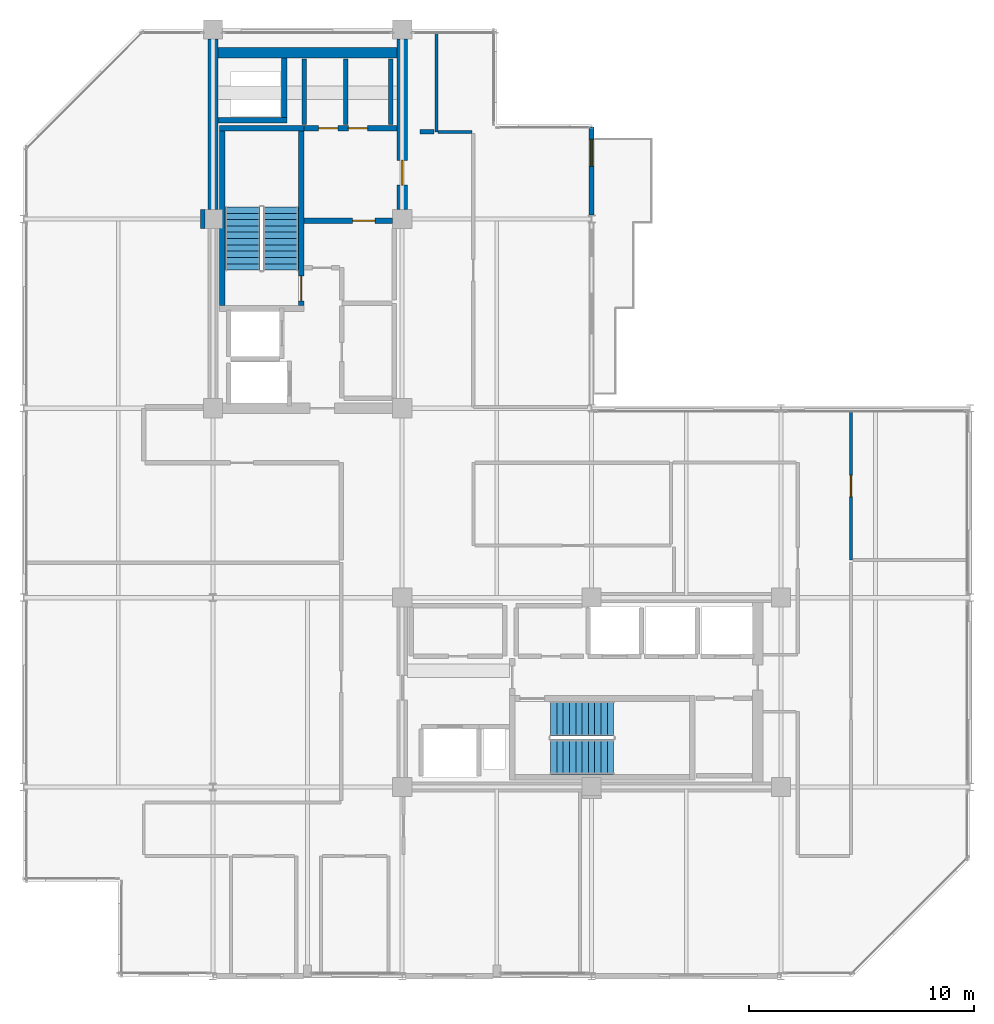
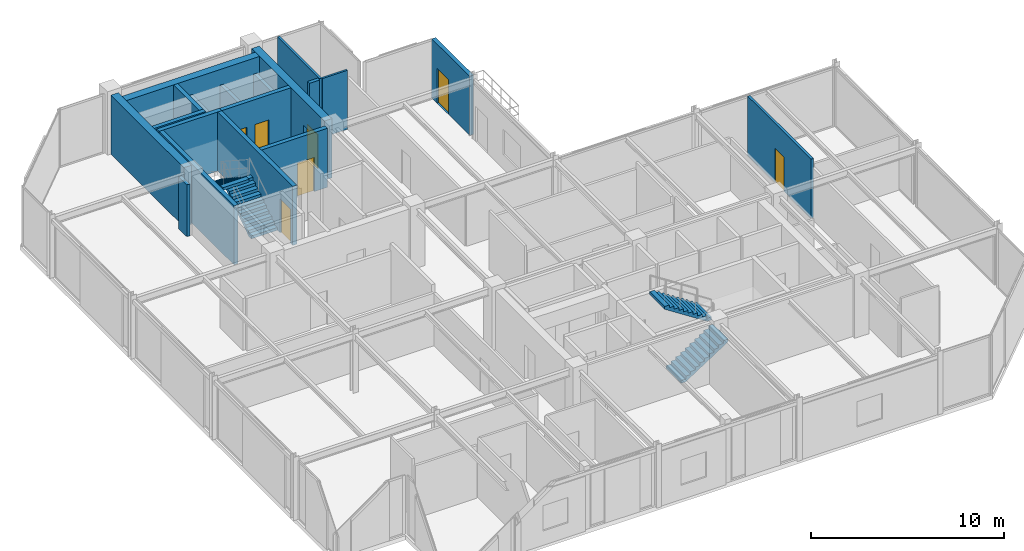
# One storey, part 23 of 26: 19 walls, 7 doors, 4 stair flights, 7 openings, 2 elements without a shape of their own.
"""IFC4 building model written with IfcOpenShell, lengths in metres."""

from ifc_helpers import new_model, si_unit, direction, frame, frame_2d, origin, place, context, subcontext, project, spatial, polyline, rectangle, outline, extrude, material, layer, layer_set, type_object, element, fill, aggregate, save


model = new_model("IFC4")

# Units and contexts
model_context = context("Model", 3, precision=1e-05, world=origin(), true_north=direction((0.0, 1.0)))
body_context = subcontext(model_context, "Body", "Model", "MODEL_VIEW")
ifc_project = project(units=[si_unit("LENGTHUNIT", "METRE"), si_unit("AREAUNIT", "SQUARE_METRE"), si_unit("VOLUMEUNIT", "CUBIC_METRE"), si_unit("PLANEANGLEUNIT", "RADIAN"), si_unit("MASSUNIT", "GRAM", prefix="KILO")], contexts=[model_context])

# Site, building, storey
site_placement = place(None, origin())
site = spatial("IfcSite", under=ifc_project, at=site_placement, CompositionType="ELEMENT")
building_placement = place(site_placement, origin())
building = spatial("IfcBuilding", under=site, at=building_placement, Name="Nerrivon Quay Data Exchange", CompositionType="ELEMENT")
storey_placement = place(building_placement, frame((0.0, 0.0, 258.199951171875)))
storey = spatial("IfcBuildingStorey", under=building, at=storey_placement, Name="L61", CompositionType="ELEMENT", Elevation=258.199951171875)

# Wall, opening, door
ifc_material_1 = material(Name="Architectural terracotta precast concrete N50 (50 MPa)", Category="masonry")
ifc_layer_1 = layer(ifc_material_1, 0.239990234375)
ifc_layer_set_1 = layer_set([ifc_layer_1], Name="Architectural terracotta precast concrete N50 (50 MPa)")
wall_type_1 = type_object("IfcWallType", Name="EW-PREC-240", PredefinedType="STANDARD", material=ifc_layer_set_1)
wall_1_placement = place(storey_placement, frame((25.199951171875, 37.679931640625, 0.0), z_axis=(0.0, 0.0, 1.0), x_axis=(0.0, -1.0, 0.0)))
wall_1 = element("IfcWall", 1, at=wall_1_placement, inside=storey, type_object=wall_type_1, Name="L61 Terrace Host Wall 22", PredefinedType="STANDARD", context=body_context, shape_type="SweptSolid", body=[
    extrude(rectangle(XDim=3.91650390625, YDim=0.239990234375, at=frame_2d((1.958251953125, 0.0))), origin(), (0.0, 0.0, 1.0), 3.72509765625),
])
opening_1_placement = place(wall_1_placement, frame((0.550048828125, 0.0, 0.0)))
opening_1 = element("IfcOpeningElement", 2, at=opening_1_placement, cuts=wall_1, Name="Opening TD1", PredefinedType="OPENING", context=body_context, shape_type="SweptSolid", body=[
    extrude(rectangle(XDim=1.199951171875, YDim=2.199951171875, at=frame_2d((0.60009765625, 1.10009765625))), frame((0.0, 0.1298828125, 0.0), z_axis=(0.0, -1.0, 0.0), x_axis=(1.0, 0.0, 0.0)), (0.0, 0.0, 1.0), 0.260009765625),
])
ifc_material_2 = material(Name="Double-glazed low-E solar control glass", Category="glass")
door_type_1 = type_object("IfcDoorType", Name="DR-TERR-1200x2200", OperationType="NOTDEFINED", PredefinedType="DOOR", material=ifc_material_2)
door_1_placement = place(opening_1_placement, origin())
door_1 = element("IfcDoor", 3, at=door_1_placement, inside=storey, type_object=door_type_1, Name="L61 Outdoor Terrace Access Door 22", OperationType="SINGLE_SWING_LEFT", OverallHeight=2.199951171875, OverallWidth=1.199951171875, PredefinedType="DOOR", context=body_context, shape_type="SweptSolid", body=[
    extrude(rectangle(XDim=1.199951171875, YDim=2.199951171875, at=frame_2d((0.60009765625, 1.10009765625))), frame((0.0, 0.02490234375, 0.0), z_axis=(0.0, -1.0, 0.0), x_axis=(1.0, 0.0, 0.0)), (0.0, 0.0, 1.0), 0.050048828125),
])
fill(opening_1, door_1)

# Walls
ifc_material_3 = material(Name="Concrete N50 (50 MPa)", Category="concrete")
ifc_layer_2 = layer(ifc_material_3, 0.449951171875)
ifc_layer_set_2 = layer_set([ifc_layer_2], Name="Concrete N50 (50 MPa)")
wall_type_2 = type_object("IfcWallType", Name="WALL-CW-550", PredefinedType="SHEAR", material=ifc_layer_set_2)
wall_2_placement = place(storey_placement, frame((8.39990234375, 34.02490234375, 0.0), z_axis=(0.0, 0.0, 1.0), x_axis=(0.0, 1.0, 0.0)))
element("IfcWall", 4, at=wall_2_placement, inside=storey, type_object=wall_type_2, Name="L61 West Split-Core Shear Wall WCW-W2", PredefinedType="SHEAR", context=body_context, shape_type="SweptSolid", body=[
    extrude(rectangle(XDim=7.550048828125, YDim=0.449951171875, at=frame_2d((3.77490234375, 0.0))), origin(), (0.0, 0.0, 1.0), 3.72509765625),
])
wall_3_placement = place(storey_placement, frame((8.625, 40.97509765625, 0.0), z_axis=(0.0, 0.0, 1.0), x_axis=(1.0, 0.0, 0.0)))
element("IfcWall", 5, at=wall_3_placement, inside=storey, type_object=wall_type_2, Name="L61 West Split-Core Shear Wall WCW-N1", PredefinedType="SHEAR", context=body_context, shape_type="SweptSolid", body=[
    extrude(rectangle(XDim=7.949951171875, YDim=0.449951171875, at=frame_2d((3.97509765625, 0.0))), origin(), (0.0, 0.0, 1.0), 3.72509765625),
])

# Wall, opening, door
wall_4_placement = place(storey_placement, frame((16.800048828125, 34.02490234375, 0.0), z_axis=(0.0, 0.0, 1.0), x_axis=(0.0, 1.0, 0.0)))
wall_4 = element("IfcWall", 6, at=wall_4_placement, inside=storey, type_object=wall_type_2, Name="L61 West Split-Core Shear Wall WCW-E1", PredefinedType="SHEAR", context=body_context, shape_type="SweptSolid", body=[
    extrude(rectangle(XDim=7.550048828125, YDim=0.449951171875, at=frame_2d((3.77490234375, 0.0))), origin(), (0.0, 0.0, 1.0), 3.72509765625),
])
opening_2_placement = place(wall_4_placement, frame((1.074951171875, 0.0, 0.0)))
opening_2 = element("IfcOpeningElement", 7, at=opening_2_placement, cuts=wall_4, Name="Opening FD-120", PredefinedType="OPENING", context=body_context, shape_type="SweptSolid", body=[
    extrude(rectangle(XDim=1.10009765625, YDim=2.14990234375, at=frame_2d((0.550048828125, 1.074951171875))), frame((0.0, 0.23486328125, 0.0), z_axis=(0.0, -1.0, 0.0), x_axis=(1.0, 0.0, 0.0)), (0.0, 0.0, 1.0), 0.469970703125),
])
ifc_material_4 = material(Name="Powder-coated galvanized steel sheet", Category="steel")
door_type_2 = type_object("IfcDoorType", Name="DR-FD120-1100", OperationType="NOTDEFINED", PredefinedType="DOOR", material=ifc_material_4)
door_2_placement = place(opening_2_placement, origin())
door_2 = element("IfcDoor", 8, at=door_2_placement, inside=storey, type_object=door_type_2, Name="L61 West Core Lobby Fire Door", OperationType="SINGLE_SWING_RIGHT", OverallHeight=2.14990234375, OverallWidth=1.10009765625, PredefinedType="DOOR", context=body_context, shape_type="SweptSolid", body=[
    extrude(rectangle(XDim=1.10009765625, YDim=2.14990234375, at=frame_2d((0.550048828125, 1.074951171875))), frame((0.0, 0.02490234375, 0.0), z_axis=(0.0, -1.0, 0.0), x_axis=(1.0, 0.0, 0.0)), (0.0, 0.0, 1.0), 0.050048828125),
])
fill(opening_2, door_2)

# Walls
ifc_material_5 = material(Name="Gypsum plasterboard on cold-formed framing", Category="gypsum")
ifc_layer_3 = layer(ifc_material_5, 0.199951171875)
ifc_layer_set_3 = layer_set([ifc_layer_3], Name="Gypsum plasterboard on cold-formed framing")
wall_type_3 = type_object("IfcWallType", Name="WALL-FW-200", PredefinedType="PARTITIONING", material=ifc_layer_set_3)
for number, where, z_axis, x_axis, name in (
    (9, (14.300048828125, 37.780029296875, 0.0), (0.0, 0.0, 1.0), (0.0, 1.0, 0.0), "L61 Partition Cleaners Store"),
    (10, (12.449951171875, 40.699951171875, 0.0), (0.0, 0.0, 1.0), (0.0, -1.0, 0.0), "L61 Partition Cleaners Store"),
    (11, (16.300048828125, 37.780029296875, 0.0), (0.0, 0.0, 1.0), (0.0, 1.0, 0.0), "L61 Partition Janitor Closet"),
):
    element("IfcWall", number, at=place(storey_placement, frame(where, z_axis=z_axis, x_axis=x_axis)), inside=storey, type_object=wall_type_3, Name=name, PredefinedType="PARTITIONING", context=body_context, shape_type="SweptSolid", body=[
        extrude(rectangle(XDim=2.919921875, YDim=0.199951171875, at=frame_2d((1.4599609375, 0.0))), origin(), (0.0, 0.0, 1.0), 2.775146484375),
    ])
wall_5_placement = place(storey_placement, frame((17.60009765625, 37.4599609375, 0.0), z_axis=(0.0, 0.0, 1.0), x_axis=(1.0, 0.0, 0.0)))
element("IfcWall", 12, at=wall_5_placement, inside=storey, type_object=wall_type_3, Name="L61 Partition Colocation Data Workspace 1", PredefinedType="PARTITIONING", context=body_context, shape_type="SweptSolid", body=[
    extrude(rectangle(XDim=0.607177734375, YDim=0.199951171875, at=frame_2d((0.3037109375, 0.0))), origin(), (0.0, 0.0, 1.0), 3.72509765625),
])
wall_6_placement = place(storey_placement, frame((7.955810546875, 33.169189453125, 0.0), z_axis=(0.0, 0.0, 1.0), x_axis=(-0.000855919801, 0.999999633701, 0.0)))
element("IfcWall", 13, at=wall_6_placement, inside=storey, type_object=wall_type_3, Name="L61 Partition Colocation Data Workspace 1", PredefinedType="PARTITIONING", context=body_context, shape_type="SweptSolid", body=[
    extrude(rectangle(XDim=0.855712890625, YDim=0.199951171875, at=frame_2d((0.427734375, 0.0))), origin(), (0.0, 0.0, 1.0), 3.27099609375),
])
ifc_layer_4 = layer(ifc_material_5, 0.1201171875)
ifc_layer_set_4 = layer_set([ifc_layer_4], Name="Gypsum plasterboard on cold-formed framing")
wall_type_4 = type_object("IfcWallType", Name="WALL-PT-120", PredefinedType="PARTITIONING", material=ifc_layer_set_4)
wall_7_placement = place(storey_placement, frame((18.398681640625, 37.4599609375, 0.0), z_axis=(0.0, 0.0, 1.0), x_axis=(1.0, 0.0, 0.0)))
element("IfcWall", 14, at=wall_7_placement, inside=storey, type_object=wall_type_4, Name="L61 Partition Engineers Lounge", PredefinedType="PARTITIONING", context=body_context, shape_type="SweptSolid", body=[
    extrude(rectangle(XDim=1.501220703125, YDim=0.1201171875, at=frame_2d((0.75048828125, 0.0))), origin(), (0.0, 0.0, 1.0), 3.72509765625),
])
ifc_layer_5 = layer(ifc_material_5, 0.135009765625)
ifc_layer_set_5 = layer_set([ifc_layer_5], Name="Gypsum plasterboard on cold-formed framing")
wall_type_5 = type_object("IfcWallType", Name="WALL-PT-135", PredefinedType="PARTITIONING", material=ifc_layer_set_5)
wall_8_placement = place(storey_placement, frame((18.327392578125, 41.8310546875, 0.0), z_axis=(0.0, 0.0, 1.0), x_axis=(0.0, -1.0, 0.0)))
element("IfcWall", 15, at=wall_8_placement, inside=storey, type_object=wall_type_5, Name="L61 Partition Engineers Lounge", PredefinedType="PARTITIONING", context=body_context, shape_type="SweptSolid", body=[
    extrude(rectangle(XDim=4.37109375, YDim=0.135009765625, at=frame_2d((2.185546875, 0.0))), origin(), (0.0, 0.0, 1.0), 3.72509765625),
])

# Wall, opening, door
ifc_layer_6 = layer(ifc_material_5, 0.14990234375)
ifc_layer_set_6 = layer_set([ifc_layer_6], Name="Gypsum plasterboard on cold-formed framing")
wall_type_6 = type_object("IfcWallType", Name="WALL-PT-150", PredefinedType="PARTITIONING", material=ifc_layer_set_6)
wall_9_placement = place(storey_placement, frame((36.7099609375, 25.031005859375, 0.0), z_axis=(0.0, 0.0, 1.0), x_axis=(0.0, -1.0, 0.0)))
wall_9 = element("IfcWall", 16, at=wall_9_placement, inside=storey, type_object=wall_type_6, Name="L61 Partition Engineers Lounge", PredefinedType="PARTITIONING", context=body_context, shape_type="SweptSolid", body=[
    extrude(rectangle(XDim=6.55615234375, YDim=0.14990234375, at=frame_2d((3.278076171875, 0.0))), origin(), (0.0, 0.0, 1.0), 3.72509765625),
])
opening_3_placement = place(wall_9_placement, frame((2.802978515625, 0.0, 0.0)))
opening_3 = element("IfcOpeningElement", 17, at=opening_3_placement, cuts=wall_9, Name="Opening D-01", PredefinedType="OPENING", context=body_context, shape_type="SweptSolid", body=[
    extrude(rectangle(XDim=0.949951171875, YDim=2.14990234375, at=frame_2d((0.47509765625, 1.074951171875))), frame((0.0, 0.0849609375, 0.0), z_axis=(0.0, -1.0, 0.0), x_axis=(1.0, 0.0, 0.0)), (0.0, 0.0, 1.0), 0.169921875),
])
ifc_material_6 = material(Name="Engineered hardwood timber", Category="wood")
door_type_3 = type_object("IfcDoorType", Name="DR-INT-950", OperationType="NOTDEFINED", PredefinedType="DOOR", material=ifc_material_6)
door_3_placement = place(opening_3_placement, origin())
door_3 = element("IfcDoor", 18, at=door_3_placement, inside=storey, type_object=door_type_3, Name="L61 Door Engineers Lounge", OperationType="SINGLE_SWING_RIGHT", OverallHeight=2.14990234375, OverallWidth=0.949951171875, PredefinedType="DOOR", context=body_context, shape_type="SweptSolid", body=[
    extrude(rectangle(XDim=0.949951171875, YDim=2.14990234375, at=frame_2d((0.47509765625, 1.074951171875))), frame((0.0, 0.02490234375, 0.0), z_axis=(0.0, -1.0, 0.0), x_axis=(1.0, 0.0, 0.0)), (0.0, 0.0, 1.0), 0.050048828125),
])
fill(opening_3, door_3)

# Wall
ifc_layer_7 = layer(ifc_material_3, 0.25)
ifc_layer_set_7 = layer_set([ifc_layer_7], Name="Concrete N50 (50 MPa)")
wall_type_7 = type_object("IfcWallType", Name="WALL-SW-250", PredefinedType="SHEAR", material=ifc_layer_set_7)
wall_10_placement = place(storey_placement, frame((12.449951171875, 37.625, 0.0), z_axis=(0.0, 0.0, 1.0), x_axis=(-1.0, 0.0, 0.0)))
element("IfcWall", 19, at=wall_10_placement, inside=storey, type_object=wall_type_7, Name="L61 ST01 Structural Stair Core Wall FAR", PredefinedType="SHEAR", context=body_context, shape_type="SweptSolid", body=[
    extrude(rectangle(XDim=3.75, YDim=0.25, at=frame_2d((1.875, 0.0))), origin(), (0.0, 0.0, 1.0), 3.72509765625),
])

# Wall, opening, door
wall_11_placement = place(storey_placement, frame((12.324951171875, 29.75, 0.0), z_axis=(0.0, 0.0, 1.0), x_axis=(0.0, 1.0, 0.0)))
wall_11 = element("IfcWall", 20, at=wall_11_placement, inside=storey, type_object=wall_type_7, Name="L61 ST01 Structural Stair Core Wall LEFT", PredefinedType="SHEAR", context=body_context, shape_type="SweptSolid", body=[
    extrude(rectangle(XDim=7.75, YDim=0.25, at=frame_2d((3.875, 0.0))), origin(), (0.0, 0.0, 1.0), 3.72509765625),
])
opening_4_placement = place(wall_11_placement, frame((0.219970703125, 0.0, 0.0)))
opening_4 = element("IfcOpeningElement", 21, at=opening_4_placement, cuts=wall_11, Name="Opening FD-120", PredefinedType="OPENING", context=body_context, shape_type="SweptSolid", body=[
    extrude(rectangle(XDim=1.10009765625, YDim=2.14990234375, at=frame_2d((0.550048828125, 1.074951171875))), frame((0.0, 0.135009765625, 0.0), z_axis=(0.0, -1.0, 0.0), x_axis=(1.0, 0.0, 0.0)), (0.0, 0.0, 1.0), 0.27001953125),
])
door_4_placement = place(opening_4_placement, origin())
door_4 = element("IfcDoor", 22, at=door_4_placement, inside=storey, type_object=door_type_2, Name="L61 Protected Stair Door ST01", OperationType="SINGLE_SWING_RIGHT", OverallHeight=2.14990234375, OverallWidth=1.10009765625, PredefinedType="DOOR", context=body_context, shape_type="SweptSolid", body=[
    extrude(rectangle(XDim=1.10009765625, YDim=2.14990234375, at=frame_2d((0.550048828125, 1.074951171875))), frame((0.0, 0.02490234375, 0.0), z_axis=(0.0, -1.0, 0.0), x_axis=(1.0, 0.0, 0.0)), (0.0, 0.0, 1.0), 0.050048828125),
])
fill(opening_4, door_4)

# Walls
wall_12_placement = place(storey_placement, frame((8.824951171875, 29.75, 0.0), z_axis=(0.0, 0.0, 1.0), x_axis=(0.0, 1.0, 0.0)))
element("IfcWall", 23, at=wall_12_placement, inside=storey, type_object=wall_type_7, Name="L61 ST01 Structural Stair Core Wall RIGHT", PredefinedType="SHEAR", context=body_context, shape_type="SweptSolid", body=[
    extrude(rectangle(XDim=7.75, YDim=0.25, at=frame_2d((3.875, 0.0))), origin(), (0.0, 0.0, 1.0), 3.72509765625),
])
wall_13_placement = place(storey_placement, frame((8.625, 37.97509765625, 0.0), z_axis=(0.0, 0.0, 1.0), x_axis=(1.0, 0.0, 0.0)))
element("IfcWall", 24, at=wall_13_placement, inside=storey, type_object=wall_type_7, Name="L61 West Core MEP Riser Shaft Wall S", PredefinedType="SHEAR", context=body_context, shape_type="SweptSolid", body=[
    extrude(rectangle(XDim=3.074951171875, YDim=0.25, at=frame_2d((1.53759765625, 0.0))), origin(), (0.0, 0.0, 1.0), 3.72509765625),
])
wall_14_placement = place(storey_placement, frame((11.574951171875, 38.10009765625, 0.0), z_axis=(0.0, 0.0, 1.0), x_axis=(0.0, 1.0, 0.0)))
element("IfcWall", 25, at=wall_14_placement, inside=storey, type_object=wall_type_7, Name="L61 West Core MEP Riser Shaft Wall E", PredefinedType="SHEAR", context=body_context, shape_type="SweptSolid", body=[
    extrude(rectangle(XDim=2.64990234375, YDim=0.25, at=frame_2d((1.324951171875, 0.0))), origin(), (0.0, 0.0, 1.0), 3.72509765625),
])

# Wall, opening, door
wall_15_placement = place(storey_placement, frame((12.449951171875, 33.52001953125, 0.0), z_axis=(0.0, 0.0, 1.0), x_axis=(1.0, 0.0, 0.0)))
wall_15 = element("IfcWall", 26, at=wall_15_placement, inside=storey, type_object=wall_type_7, Name="L61 West Lobby Smoke-Stop Wall", PredefinedType="SHEAR", context=body_context, shape_type="SweptSolid", body=[
    extrude(rectangle(XDim=3.925048828125, YDim=0.25, at=frame_2d((1.96240234375, 0.0))), origin(), (0.0, 0.0, 1.0), 3.72509765625),
])
opening_5_placement = place(wall_15_placement, frame((2.14990234375, 0.0, 0.0)))
opening_5 = element("IfcOpeningElement", 27, at=opening_5_placement, cuts=wall_15, Name="Opening FD-60", PredefinedType="OPENING", context=body_context, shape_type="SweptSolid", body=[
    extrude(rectangle(XDim=1.0, YDim=2.14990234375, at=frame_2d((0.5, 1.074951171875))), frame((0.0, 0.135009765625, 0.0), z_axis=(0.0, -1.0, 0.0), x_axis=(1.0, 0.0, 0.0)), (0.0, 0.0, 1.0), 0.27001953125),
])
door_type_4 = type_object("IfcDoorType", Name="DR-FD60-1000", OperationType="NOTDEFINED", PredefinedType="DOOR", material=ifc_material_6)
door_5_placement = place(opening_5_placement, origin())
door_5 = element("IfcDoor", 28, at=door_5_placement, inside=storey, type_object=door_type_4, Name="L61 West Firefighting Lobby Fire Door", OperationType="SINGLE_SWING_RIGHT", OverallHeight=2.14990234375, OverallWidth=1.0, PredefinedType="DOOR", context=body_context, shape_type="SweptSolid", body=[
    extrude(rectangle(XDim=1.0, YDim=2.14990234375, at=frame_2d((0.5, 1.074951171875))), frame((0.0, 0.02490234375, 0.0), z_axis=(0.0, -1.0, 0.0), x_axis=(1.0, 0.0, 0.0)), (0.0, 0.0, 1.0), 0.050048828125),
])
fill(opening_5, door_5)

# Wall, openings, doors
wall_16_placement = place(storey_placement, frame((12.449951171875, 37.625, 0.0), z_axis=(0.0, 0.0, 1.0), x_axis=(1.0, 0.0, 0.0)))
wall_16 = element("IfcWall", 29, at=wall_16_placement, inside=storey, type_object=wall_type_7, Name="L61 West Firefighting Lobby Wall", PredefinedType="SHEAR", context=body_context, shape_type="SweptSolid", body=[
    extrude(rectangle(XDim=4.125, YDim=0.25, at=frame_2d((2.0625, 0.0))), origin(), (0.0, 0.0, 1.0), 3.72509765625),
])
opening_6_placement = place(wall_16_placement, frame((0.6474609375, 0.0, 0.0)))
opening_6 = element("IfcOpeningElement", 30, at=opening_6_placement, cuts=wall_16, Name="Opening FD-60S", PredefinedType="OPENING", context=body_context, shape_type="SweptSolid", body=[
    extrude(rectangle(XDim=0.85009765625, YDim=2.14990234375, at=frame_2d((0.425048828125, 1.074951171875))), frame((0.0, 0.135009765625, 0.0), z_axis=(0.0, -1.0, 0.0), x_axis=(1.0, 0.0, 0.0)), (0.0, 0.0, 1.0), 0.27001953125),
])
opening_7_placement = place(wall_16_placement, frame((1.967529296875, 0.0, 0.0)))
opening_7 = element("IfcOpeningElement", 31, at=opening_7_placement, cuts=wall_16, Name="Opening FD-60S", PredefinedType="OPENING", context=body_context, shape_type="SweptSolid", body=[
    extrude(rectangle(XDim=0.85009765625, YDim=2.14990234375, at=frame_2d((0.425048828125, 1.074951171875))), frame((0.0, 0.135009765625, 0.0), z_axis=(0.0, -1.0, 0.0), x_axis=(1.0, 0.0, 0.0)), (0.0, 0.0, 1.0), 0.27001953125),
])
door_type_5 = type_object("IfcDoorType", Name="DR-FD60-850", OperationType="NOTDEFINED", PredefinedType="DOOR", material=ifc_material_6)
door_6_placement = place(opening_6_placement, origin())
door_6 = element("IfcDoor", 32, at=door_6_placement, inside=storey, type_object=door_type_5, Name="L61 Door Cleaners Store", OperationType="SINGLE_SWING_RIGHT", OverallHeight=2.14990234375, OverallWidth=0.85009765625, PredefinedType="DOOR", context=body_context, shape_type="SweptSolid", body=[
    extrude(rectangle(XDim=0.85009765625, YDim=2.14990234375, at=frame_2d((0.425048828125, 1.074951171875))), frame((0.0, 0.02490234375, 0.0), z_axis=(0.0, -1.0, 0.0), x_axis=(1.0, 0.0, 0.0)), (0.0, 0.0, 1.0), 0.050048828125),
])
fill(opening_6, door_6)
door_7_placement = place(opening_7_placement, origin())
door_7 = element("IfcDoor", 33, at=door_7_placement, inside=storey, type_object=door_type_5, Name="L61 Door Janitor Closet", OperationType="SINGLE_SWING_LEFT", OverallHeight=2.14990234375, OverallWidth=0.85009765625, PredefinedType="DOOR", context=body_context, shape_type="SweptSolid", body=[
    extrude(rectangle(XDim=0.85009765625, YDim=2.14990234375, at=frame_2d((0.425048828125, 1.074951171875))), frame((0.0, 0.02490234375, 0.0), z_axis=(0.0, -1.0, 0.0), x_axis=(1.0, 0.0, 0.0)), (0.0, 0.0, 1.0), 0.050048828125),
])
fill(opening_7, door_7)

# Stair, stair flights
stair_type = type_object("IfcStairType", Name="STAIR-DOG-40", PredefinedType="HALF_TURN_STAIR", material=ifc_material_3)
stair_1_placement = place(storey_placement, origin())
stair_1 = element("IfcStair", 34, at=stair_1_placement, inside=storey, type_object=stair_type, Name="L61 West Core Fire Stair ST01", PredefinedType="HALF_TURN_STAIR")
stair_flight_type = type_object("IfcStairFlightType", Name="FLIGHT-DOG-40", PredefinedType="STRAIGHT", material=ifc_material_3)
stair_flight_1_placement = place(storey_placement, frame((11.425048828125, 31.330078125, 0.0), z_axis=(0.0, 0.0, 1.0), x_axis=(0.0, 1.0, 0.0)))
stair_flight_1 = element("IfcStairFlight", 35, at=stair_flight_1_placement, type_object=stair_flight_type, Name="ST01 flight 1", NumberOfRisers=11, NumberOfTreads=10, PredefinedType="STRAIGHT", RiserHeight=0.181818182, TreadLength=0.28, context=body_context, shape_type="SweptSolid", body=[
    extrude(outline(polyline([(0.0, 0.0), (0.0, 0.181884765625), (0.280029296875, 0.181884765625), (0.280029296875, 0.363525390625), (0.56005859375, 0.363525390625), (0.56005859375, 0.54541015625), (0.840087890625, 0.54541015625), (0.840087890625, 0.727294921875), (1.1201171875, 0.727294921875), (1.1201171875, 0.9091796875), (1.39990234375, 0.9091796875), (1.39990234375, 1.0908203125), (1.679931640625, 1.0908203125), (1.679931640625, 1.272705078125), (1.9599609375, 1.272705078125), (1.9599609375, 1.45458984375), (2.239990234375, 1.45458984375), (2.239990234375, 1.636474609375), (2.52001953125, 1.636474609375), (2.52001953125, 1.818115234375), (2.800048828125, 1.818115234375), (2.800048828125, 2.0), (2.800048828125, 1.639404296875), (0.275146484375, 0.0), (0.0, 0.0)])), frame((0.0, 0.77490234375, 0.0), z_axis=(0.0, -1.0, 0.0), x_axis=(1.0, 0.0, 0.0)), (0.0, 0.0, 1.0), 1.550048828125),
])
stair_flight_2_placement = place(storey_placement, frame((9.72509765625, 34.1298828125, 2.0), z_axis=(0.0, 0.0, 1.0), x_axis=(0.0, -1.0, 0.0)))
stair_flight_2 = element("IfcStairFlight", 36, at=stair_flight_2_placement, type_object=stair_flight_type, Name="ST01 flight 2", NumberOfRisers=11, NumberOfTreads=10, PredefinedType="STRAIGHT", RiserHeight=0.181818182, TreadLength=0.28, context=body_context, shape_type="SweptSolid", body=[
    extrude(outline(polyline([(0.0, 0.0), (0.0, 0.181884765625), (0.280029296875, 0.181884765625), (0.280029296875, 0.363525390625), (0.56005859375, 0.363525390625), (0.56005859375, 0.54541015625), (0.840087890625, 0.54541015625), (0.840087890625, 0.727294921875), (1.1201171875, 0.727294921875), (1.1201171875, 0.9091796875), (1.39990234375, 0.9091796875), (1.39990234375, 1.0908203125), (1.679931640625, 1.0908203125), (1.679931640625, 1.272705078125), (1.9599609375, 1.272705078125), (1.9599609375, 1.45458984375), (2.239990234375, 1.45458984375), (2.239990234375, 1.636474609375), (2.52001953125, 1.636474609375), (2.52001953125, 1.818115234375), (2.800048828125, 1.818115234375), (2.800048828125, 2.0), (2.800048828125, 1.639404296875), (0.275146484375, 0.0), (0.0, 0.0)])), frame((0.0, 0.77490234375, 0.0), z_axis=(0.0, -1.0, 0.0), x_axis=(1.0, 0.0, 0.0)), (0.0, 0.0, 1.0), 1.550048828125),
])
aggregate(stair_1, [stair_flight_1, stair_flight_2])

stair_2_placement = place(storey_placement, origin())
stair_2 = element("IfcStair", 37, at=stair_2_placement, inside=storey, type_object=stair_type, Name="L61 East Core Fire Stair ST02", PredefinedType="HALF_TURN_STAIR")
stair_flight_3_placement = place(storey_placement, frame((23.3798828125, 9.72509765625, 0.0), z_axis=(0.0, 0.0, 1.0), x_axis=(1.0, 0.0, 0.0)))
stair_flight_3 = element("IfcStairFlight", 38, at=stair_flight_3_placement, type_object=stair_flight_type, Name="ST02 flight 1", NumberOfRisers=11, NumberOfTreads=10, PredefinedType="STRAIGHT", RiserHeight=0.181818182, TreadLength=0.28, context=body_context, shape_type="SweptSolid", body=[
    extrude(outline(polyline([(0.0, 0.0), (0.0, 0.181884765625), (0.280029296875, 0.181884765625), (0.280029296875, 0.363525390625), (0.56005859375, 0.363525390625), (0.56005859375, 0.54541015625), (0.840087890625, 0.54541015625), (0.840087890625, 0.727294921875), (1.1201171875, 0.727294921875), (1.1201171875, 0.9091796875), (1.39990234375, 0.9091796875), (1.39990234375, 1.0908203125), (1.679931640625, 1.0908203125), (1.679931640625, 1.272705078125), (1.9599609375, 1.272705078125), (1.9599609375, 1.45458984375), (2.239990234375, 1.45458984375), (2.239990234375, 1.636474609375), (2.52001953125, 1.636474609375), (2.52001953125, 1.818115234375), (2.800048828125, 1.818115234375), (2.800048828125, 2.0), (2.800048828125, 1.639404296875), (0.275146484375, 0.0), (0.0, 0.0)])), frame((0.0, 0.77490234375, 0.0), z_axis=(0.0, -1.0, 0.0), x_axis=(1.0, 0.0, 0.0)), (0.0, 0.0, 1.0), 1.550048828125),
])
stair_flight_4_placement = place(storey_placement, frame((26.179931640625, 11.425048828125, 2.0), z_axis=(0.0, 0.0, 1.0), x_axis=(-1.0, 0.0, 0.0)))
stair_flight_4 = element("IfcStairFlight", 39, at=stair_flight_4_placement, type_object=stair_flight_type, Name="ST02 flight 2", NumberOfRisers=11, NumberOfTreads=10, PredefinedType="STRAIGHT", RiserHeight=0.181818182, TreadLength=0.28, context=body_context, shape_type="SweptSolid", body=[
    extrude(outline(polyline([(0.0, 0.0), (0.0, 0.181884765625), (0.280029296875, 0.181884765625), (0.280029296875, 0.363525390625), (0.56005859375, 0.363525390625), (0.56005859375, 0.54541015625), (0.840087890625, 0.54541015625), (0.840087890625, 0.727294921875), (1.1201171875, 0.727294921875), (1.1201171875, 0.9091796875), (1.39990234375, 0.9091796875), (1.39990234375, 1.0908203125), (1.679931640625, 1.0908203125), (1.679931640625, 1.272705078125), (1.9599609375, 1.272705078125), (1.9599609375, 1.45458984375), (2.239990234375, 1.45458984375), (2.239990234375, 1.636474609375), (2.52001953125, 1.636474609375), (2.52001953125, 1.818115234375), (2.800048828125, 1.818115234375), (2.800048828125, 2.0), (2.800048828125, 1.639404296875), (0.275146484375, 0.0), (0.0, 0.0)])), frame((0.0, 0.77490234375, 0.0), z_axis=(0.0, -1.0, 0.0), x_axis=(1.0, 0.0, 0.0)), (0.0, 0.0, 1.0), 1.550048828125),
])
aggregate(stair_2, [stair_flight_3, stair_flight_4])

save(model, "model.ifc")
